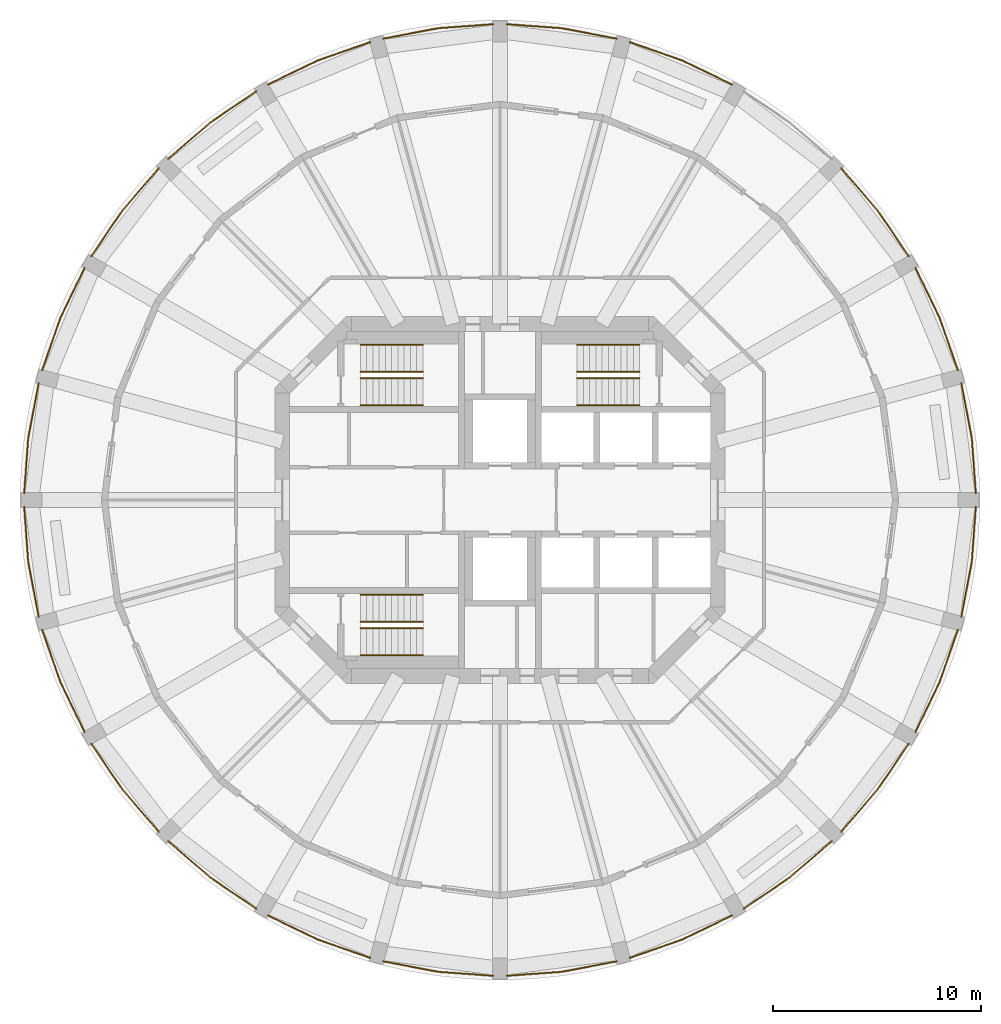
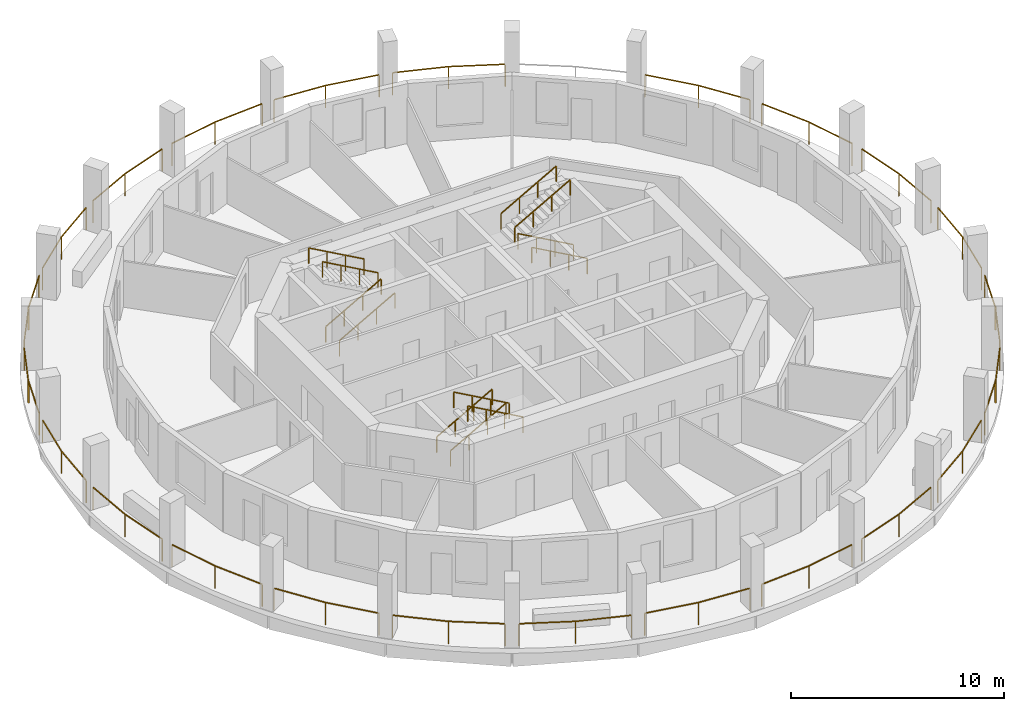
# One storey, part 8 of 9: 35 railings.
"""IFC4 building model written with IfcOpenShell, lengths in metres."""

from ifc_helpers import new_model, si_unit, direction, frame, origin, origin_2d, place, context, subcontext, project, spatial, rectangle, extrude, material, type_object, element, save


model = new_model("IFC4")

# Units and contexts
model_context = context("Model", 3, precision=1e-05, world=origin(), true_north=direction((0.0, 1.0)))
body_context = subcontext(model_context, "Body", "Model", "MODEL_VIEW")
ifc_project = project(units=[si_unit("LENGTHUNIT", "METRE"), si_unit("AREAUNIT", "SQUARE_METRE"), si_unit("VOLUMEUNIT", "CUBIC_METRE"), si_unit("PLANEANGLEUNIT", "RADIAN"), si_unit("MASSUNIT", "GRAM", prefix="KILO")], contexts=[model_context])

# Site, building, storey
site_placement = place(None, origin())
site = spatial("IfcSite", under=ifc_project, at=site_placement, CompositionType="ELEMENT")
building_placement = place(site_placement, origin())
building = spatial("IfcBuilding", under=site, at=building_placement, Name="Torre Triforio", CompositionType="ELEMENT")
storey_placement = place(building_placement, frame((0.0, 0.0, 180.10009765625)))
storey = spatial("IfcBuildingStorey", under=building, at=storey_placement, Name="L41", CompositionType="ELEMENT", Elevation=180.10009765625)

# Railings
ifc_material = material(Name="Stainless steel AISI 316", Category="steel")
railing_type_1 = type_object("IfcRailingType", Name="HANDRAIL 920", PredefinedType="HANDRAIL", material=ifc_material)
for number, where, name in (
    (1, (-6.699951171875, 4.550048828125, 0.16796875), "Handrail ST1"),
    (2, (-6.699951171875, 5.85009765625, 0.16796875), "Handrail ST1"),
):
    element("IfcRailing", number, at=place(storey_placement, frame(where)), inside=storey, type_object=railing_type_1, Name=name, PredefinedType="HANDRAIL", context=body_context, shape_type="SweptSolid", body=[
        extrude(rectangle(XDim=0.048095703125, YDim=0.048095703125, at=origin_2d()), frame((0.0, 0.0, 0.89599609375), z_axis=(0.872272294576, 0.0, 0.489020494575), x_axis=(0.0, 1.0, 0.0)), (0.0, 0.0, 1.0), 3.439208984375),
        extrude(rectangle(XDim=0.0419921875, YDim=0.0419921875, at=origin_2d()), origin(), (0.0, 0.0, 1.0), 0.871826171875),
        extrude(rectangle(XDim=0.0419921875, YDim=0.0419921875, at=origin_2d()), frame((1.0, 0.0, 0.560546875)), (0.0, 0.0, 1.0), 0.871826171875),
        extrude(rectangle(XDim=0.0419921875, YDim=0.0419921875, at=origin_2d()), frame((2.0, 0.0, 1.121337890625)), (0.0, 0.0, 1.0), 0.871826171875),
        extrude(rectangle(XDim=0.0419921875, YDim=0.0419921875, at=origin_2d()), frame((3.0, 0.0, 1.681884765625)), (0.0, 0.0, 1.0), 0.871826171875),
    ])
for number, where, name in (
    (3, (-3.699951171875, 7.449951171875, 2.01806640625), "Handrail ST1"),
    (4, (-3.699951171875, 6.14990234375, 2.01806640625), "Handrail ST1"),
    (5, (6.699951171875, 4.550048828125, 0.16796875), "Handrail ST2"),
    (6, (6.699951171875, 5.85009765625, 0.16796875), "Handrail ST2"),
):
    element("IfcRailing", number, at=place(storey_placement, frame(where)), inside=storey, type_object=railing_type_1, Name=name, PredefinedType="HANDRAIL", context=body_context, shape_type="SweptSolid", body=[
        extrude(rectangle(XDim=0.048095703125, YDim=0.048095703125, at=origin_2d()), frame((0.0, 0.0, 0.89599609375), z_axis=(-0.872272294576, 0.0, 0.489020494575), x_axis=(0.0, -1.0, 0.0)), (0.0, 0.0, 1.0), 3.439208984375),
        extrude(rectangle(XDim=0.0419921875, YDim=0.0419921875, at=origin_2d()), origin(), (0.0, 0.0, 1.0), 0.871826171875),
        extrude(rectangle(XDim=0.0419921875, YDim=0.0419921875, at=origin_2d()), frame((-1.0, 0.0, 0.560546875)), (0.0, 0.0, 1.0), 0.871826171875),
        extrude(rectangle(XDim=0.0419921875, YDim=0.0419921875, at=origin_2d()), frame((-2.0, 0.0, 1.121337890625)), (0.0, 0.0, 1.0), 0.871826171875),
        extrude(rectangle(XDim=0.0419921875, YDim=0.0419921875, at=origin_2d()), frame((-3.0, 0.0, 1.681884765625)), (0.0, 0.0, 1.0), 0.871826171875),
    ])
for number, where, name in (
    (7, (3.699951171875, 7.449951171875, 2.01806640625), "Handrail ST2"),
    (8, (3.699951171875, 6.14990234375, 2.01806640625), "Handrail ST2"),
    (9, (-6.699951171875, -4.550048828125, 0.16796875), "Handrail ST3"),
    (10, (-6.699951171875, -5.85009765625, 0.16796875), "Handrail ST3"),
):
    element("IfcRailing", number, at=place(storey_placement, frame(where)), inside=storey, type_object=railing_type_1, Name=name, PredefinedType="HANDRAIL", context=body_context, shape_type="SweptSolid", body=[
        extrude(rectangle(XDim=0.048095703125, YDim=0.048095703125, at=origin_2d()), frame((0.0, 0.0, 0.89599609375), z_axis=(0.872272294576, 0.0, 0.489020494575), x_axis=(0.0, 1.0, 0.0)), (0.0, 0.0, 1.0), 3.439208984375),
        extrude(rectangle(XDim=0.0419921875, YDim=0.0419921875, at=origin_2d()), origin(), (0.0, 0.0, 1.0), 0.871826171875),
        extrude(rectangle(XDim=0.0419921875, YDim=0.0419921875, at=origin_2d()), frame((1.0, 0.0, 0.560546875)), (0.0, 0.0, 1.0), 0.871826171875),
        extrude(rectangle(XDim=0.0419921875, YDim=0.0419921875, at=origin_2d()), frame((2.0, 0.0, 1.121337890625)), (0.0, 0.0, 1.0), 0.871826171875),
        extrude(rectangle(XDim=0.0419921875, YDim=0.0419921875, at=origin_2d()), frame((3.0, 0.0, 1.681884765625)), (0.0, 0.0, 1.0), 0.871826171875),
    ])
for number, where, name in (
    (11, (-3.699951171875, -7.449951171875, 2.01806640625), "Handrail ST3"),
    (12, (-3.699951171875, -6.14990234375, 2.01806640625), "Handrail ST3"),
):
    element("IfcRailing", number, at=place(storey_placement, frame(where)), inside=storey, type_object=railing_type_1, Name=name, PredefinedType="HANDRAIL", context=body_context, shape_type="SweptSolid", body=[
        extrude(rectangle(XDim=0.048095703125, YDim=0.048095703125, at=origin_2d()), frame((0.0, 0.0, 0.89599609375), z_axis=(-0.872272294576, 0.0, 0.489020494575), x_axis=(0.0, -1.0, 0.0)), (0.0, 0.0, 1.0), 3.439208984375),
        extrude(rectangle(XDim=0.0419921875, YDim=0.0419921875, at=origin_2d()), origin(), (0.0, 0.0, 1.0), 0.871826171875),
        extrude(rectangle(XDim=0.0419921875, YDim=0.0419921875, at=origin_2d()), frame((-1.0, 0.0, 0.560546875)), (0.0, 0.0, 1.0), 0.871826171875),
        extrude(rectangle(XDim=0.0419921875, YDim=0.0419921875, at=origin_2d()), frame((-2.0, 0.0, 1.121337890625)), (0.0, 0.0, 1.0), 0.871826171875),
        extrude(rectangle(XDim=0.0419921875, YDim=0.0419921875, at=origin_2d()), frame((-3.0, 0.0, 1.681884765625)), (0.0, 0.0, 1.0), 0.871826171875),
    ])
railing_type_2 = type_object("IfcRailingType", Name="Loggia guard 1300", PredefinedType="GUARDRAIL", material=ifc_material)
railing_1_placement = place(storey_placement, frame((22.85009765625, 0.320068359375, 0.0)))
element("IfcRailing", 13, at=railing_1_placement, inside=storey, type_object=railing_type_2, Name="Loggia guard L41 bay 01", PredefinedType="GUARDRAIL", context=body_context, shape_type="SweptSolid", body=[
    extrude(rectangle(XDim=0.050048828125, YDim=0.050048828125, at=origin_2d()), frame((0.0, 0.0, 1.27490234375), z_axis=(-0.073255194528, 0.997313228868, 0.0), x_axis=(-0.997313228868, -0.073255194528, 0.0)), (0.0, 0.0, 1.0), 2.66943359375),
    extrude(rectangle(XDim=0.050048828125, YDim=0.050048828125, at=origin_2d()), frame((-0.195556640625, 2.662353515625, 1.27490234375), z_axis=(-0.187368424401, 0.982289709575, 0.0), x_axis=(-0.982289709575, -0.187368424401, 0.0)), (0.0, 0.0, 1.0), 2.669921875),
    extrude(rectangle(XDim=0.0400390625, YDim=0.0400390625, at=origin_2d()), origin(), (0.0, 0.0, 1.0), 1.25),
    extrude(rectangle(XDim=0.0400390625, YDim=0.0400390625, at=origin_2d()), frame((-0.195556640625, 2.662353515625, 0.0)), (0.0, 0.0, 1.0), 1.25),
    extrude(rectangle(XDim=0.0400390625, YDim=0.0400390625, at=origin_2d()), frame((-0.69580078125, 5.284912109375, 0.0)), (0.0, 0.0, 1.0), 1.25),
])
railing_2_placement = place(storey_placement, frame((21.988525390625, 6.22314453125, 0.0)))
element("IfcRailing", 14, at=railing_2_placement, inside=storey, type_object=railing_type_2, Name="Loggia guard L41 bay 02", PredefinedType="GUARDRAIL", context=body_context, shape_type="SweptSolid", body=[
    extrude(rectangle(XDim=0.050048828125, YDim=0.050048828125, at=origin_2d()), frame((0.0, 0.0, 1.27490234375), z_axis=(-0.328846918852, 0.944383239984, 0.0), x_axis=(-0.944383239984, -0.328846918852, 0.0)), (0.0, 0.0, 1.0), 2.669677734375),
    extrude(rectangle(XDim=0.050048828125, YDim=0.050048828125, at=origin_2d()), frame((-0.8779296875, 2.521240234375, 1.27490234375), z_axis=(-0.435211903812, 0.900328050646, 0.0), x_axis=(-0.900328050646, -0.435211903812, 0.0)), (0.0, 0.0, 1.0), 2.669677734375),
    extrude(rectangle(XDim=0.0400390625, YDim=0.0400390625, at=origin_2d()), origin(), (0.0, 0.0, 1.0), 1.25),
    extrude(rectangle(XDim=0.0400390625, YDim=0.0400390625, at=origin_2d()), frame((-0.8779296875, 2.521240234375, 0.0)), (0.0, 0.0, 1.0), 1.25),
    extrude(rectangle(XDim=0.0400390625, YDim=0.0400390625, at=origin_2d()), frame((-2.039794921875, 4.9248046875, 0.0)), (0.0, 0.0, 1.0), 1.25),
])
railing_3_placement = place(storey_placement, frame((19.628662109375, 11.7021484375, 0.0)))
element("IfcRailing", 15, at=railing_3_placement, inside=storey, type_object=railing_type_2, Name="Loggia guard L41 bay 03", PredefinedType="GUARDRAIL", context=body_context, shape_type="SweptSolid", body=[
    extrude(rectangle(XDim=0.050048828125, YDim=0.050048828125, at=origin_2d()), frame((0.0, 0.0, 1.27490234375), z_axis=(-0.562064856935, 0.827093160774, 0.0), x_axis=(-0.827093160774, -0.562064856935, 0.0)), (0.0, 0.0, 1.0), 2.669677734375),
    extrude(rectangle(XDim=0.050048828125, YDim=0.050048828125, at=origin_2d()), frame((-1.50048828125, 2.2080078125, 1.27490234375), z_axis=(-0.653400799038, 0.757012150376, 0.0), x_axis=(-0.757012150376, -0.653400799038, 0.0)), (0.0, 0.0, 1.0), 2.669677734375),
    extrude(rectangle(XDim=0.0400390625, YDim=0.0400390625, at=origin_2d()), origin(), (0.0, 0.0, 1.0), 1.25),
    extrude(rectangle(XDim=0.0400390625, YDim=0.0400390625, at=origin_2d()), frame((-1.50048828125, 2.2080078125, 0.0)), (0.0, 0.0, 1.0), 1.25),
    extrude(rectangle(XDim=0.0400390625, YDim=0.0400390625, at=origin_2d()), frame((-3.244873046875, 4.22900390625, 0.0)), (0.0, 0.0, 1.0), 1.25),
])
railing_4_placement = place(storey_placement, frame((11.14794921875, 19.94873046875, 0.0)))
element("IfcRailing", 16, at=railing_4_placement, inside=storey, type_object=railing_type_2, Name="Loggia guard L41 bay 05", PredefinedType="GUARDRAIL", context=body_context, shape_type="SweptSolid", body=[
    extrude(rectangle(XDim=0.050048828125, YDim=0.050048828125, at=origin_2d()), frame((0.0, 0.0, 1.27490234375), z_axis=(-0.900328050646, 0.435211903812, 0.0), x_axis=(-0.435211903812, -0.900328050646, 0.0)), (0.0, 0.0, 1.0), 2.669677734375),
    extrude(rectangle(XDim=0.050048828125, YDim=0.050048828125, at=origin_2d()), frame((-2.403564453125, 1.161865234375, 1.27490234375), z_axis=(-0.944383239984, 0.328846918852, 0.0), x_axis=(-0.328846918852, -0.944383239984, 0.0)), (0.0, 0.0, 1.0), 2.669677734375),
    extrude(rectangle(XDim=0.0400390625, YDim=0.0400390625, at=origin_2d()), origin(), (0.0, 0.0, 1.0), 1.25),
    extrude(rectangle(XDim=0.0400390625, YDim=0.0400390625, at=origin_2d()), frame((-2.403564453125, 1.161865234375, 0.0)), (0.0, 0.0, 1.0), 1.25),
    extrude(rectangle(XDim=0.0400390625, YDim=0.0400390625, at=origin_2d()), frame((-4.9248046875, 2.039794921875, 0.0)), (0.0, 0.0, 1.0), 1.25),
])
railing_5_placement = place(storey_placement, frame((5.60498046875, 22.154296875, 0.0)))
element("IfcRailing", 17, at=railing_5_placement, inside=storey, type_object=railing_type_2, Name="Loggia guard L41 bay 06", PredefinedType="GUARDRAIL", context=body_context, shape_type="SweptSolid", body=[
    extrude(rectangle(XDim=0.050048828125, YDim=0.050048828125, at=origin_2d()), frame((0.0, 0.0, 1.27490234375), z_axis=(-0.982289709575, 0.187368424401, 0.0), x_axis=(-0.187368424401, -0.982289709575, 0.0)), (0.0, 0.0, 1.0), 2.669921875),
    extrude(rectangle(XDim=0.050048828125, YDim=0.050048828125, at=origin_2d()), frame((-2.62255859375, 0.500244140625, 1.27490234375), z_axis=(-0.997313228868, 0.073255194528, 0.0), x_axis=(-0.073255194528, -0.997313228868, 0.0)), (0.0, 0.0, 1.0), 2.66943359375),
    extrude(rectangle(XDim=0.0400390625, YDim=0.0400390625, at=origin_2d()), origin(), (0.0, 0.0, 1.0), 1.25),
    extrude(rectangle(XDim=0.0400390625, YDim=0.0400390625, at=origin_2d()), frame((-2.62255859375, 0.500244140625, 0.0)), (0.0, 0.0, 1.0), 1.25),
    extrude(rectangle(XDim=0.0400390625, YDim=0.0400390625, at=origin_2d()), frame((-5.284912109375, 0.69580078125, 0.0)), (0.0, 0.0, 1.0), 1.25),
])
railing_6_placement = place(storey_placement, frame((-0.320068359375, 22.85009765625, 0.0)))
element("IfcRailing", 18, at=railing_6_placement, inside=storey, type_object=railing_type_2, Name="Loggia guard L41 bay 07", PredefinedType="GUARDRAIL", context=body_context, shape_type="SweptSolid", body=[
    extrude(rectangle(XDim=0.050048828125, YDim=0.050048828125, at=origin_2d()), frame((0.0, 0.0, 1.27490234375), z_axis=(-0.997313228868, -0.073255194528, 0.0), x_axis=(0.073255194528, -0.997313228868, 0.0)), (0.0, 0.0, 1.0), 2.66943359375),
    extrude(rectangle(XDim=0.050048828125, YDim=0.050048828125, at=origin_2d()), frame((-2.662353515625, -0.195556640625, 1.27490234375), z_axis=(-0.982289709575, -0.187368424401, 0.0), x_axis=(0.187368424401, -0.982289709575, 0.0)), (0.0, 0.0, 1.0), 2.669921875),
    extrude(rectangle(XDim=0.0400390625, YDim=0.0400390625, at=origin_2d()), origin(), (0.0, 0.0, 1.0), 1.25),
    extrude(rectangle(XDim=0.0400390625, YDim=0.0400390625, at=origin_2d()), frame((-2.662353515625, -0.195556640625, 0.0)), (0.0, 0.0, 1.0), 1.25),
    extrude(rectangle(XDim=0.0400390625, YDim=0.0400390625, at=origin_2d()), frame((-5.284912109375, -0.69580078125, 0.0)), (0.0, 0.0, 1.0), 1.25),
])
railing_7_placement = place(storey_placement, frame((-6.22314453125, 21.988525390625, 0.0)))
element("IfcRailing", 19, at=railing_7_placement, inside=storey, type_object=railing_type_2, Name="Loggia guard L41 bay 08", PredefinedType="GUARDRAIL", context=body_context, shape_type="SweptSolid", body=[
    extrude(rectangle(XDim=0.050048828125, YDim=0.050048828125, at=origin_2d()), frame((0.0, 0.0, 1.27490234375), z_axis=(-0.944383239984, -0.328846918852, 0.0), x_axis=(0.328846918852, -0.944383239984, 0.0)), (0.0, 0.0, 1.0), 2.669677734375),
    extrude(rectangle(XDim=0.050048828125, YDim=0.050048828125, at=origin_2d()), frame((-2.521240234375, -0.8779296875, 1.27490234375), z_axis=(-0.900328050646, -0.435211903812, 0.0), x_axis=(0.435211903812, -0.900328050646, 0.0)), (0.0, 0.0, 1.0), 2.669677734375),
    extrude(rectangle(XDim=0.0400390625, YDim=0.0400390625, at=origin_2d()), origin(), (0.0, 0.0, 1.0), 1.25),
    extrude(rectangle(XDim=0.0400390625, YDim=0.0400390625, at=origin_2d()), frame((-2.521240234375, -0.8779296875, 0.0)), (0.0, 0.0, 1.0), 1.25),
    extrude(rectangle(XDim=0.0400390625, YDim=0.0400390625, at=origin_2d()), frame((-4.9248046875, -2.039794921875, 0.0)), (0.0, 0.0, 1.0), 1.25),
])
railing_8_placement = place(storey_placement, frame((-11.7021484375, 19.628662109375, 0.0)))
element("IfcRailing", 20, at=railing_8_placement, inside=storey, type_object=railing_type_2, Name="Loggia guard L41 bay 09", PredefinedType="GUARDRAIL", context=body_context, shape_type="SweptSolid", body=[
    extrude(rectangle(XDim=0.050048828125, YDim=0.050048828125, at=origin_2d()), frame((0.0, 0.0, 1.27490234375), z_axis=(-0.827093160774, -0.562064856935, 0.0), x_axis=(0.562064856935, -0.827093160774, 0.0)), (0.0, 0.0, 1.0), 2.669677734375),
    extrude(rectangle(XDim=0.050048828125, YDim=0.050048828125, at=origin_2d()), frame((-2.2080078125, -1.50048828125, 1.27490234375), z_axis=(-0.757012150376, -0.653400799038, 0.0), x_axis=(0.653400799038, -0.757012150376, 0.0)), (0.0, 0.0, 1.0), 2.669677734375),
    extrude(rectangle(XDim=0.0400390625, YDim=0.0400390625, at=origin_2d()), origin(), (0.0, 0.0, 1.0), 1.25),
    extrude(rectangle(XDim=0.0400390625, YDim=0.0400390625, at=origin_2d()), frame((-2.2080078125, -1.50048828125, 0.0)), (0.0, 0.0, 1.0), 1.25),
    extrude(rectangle(XDim=0.0400390625, YDim=0.0400390625, at=origin_2d()), frame((-4.22900390625, -3.244873046875, 0.0)), (0.0, 0.0, 1.0), 1.25),
])
railing_9_placement = place(storey_placement, frame((-16.3837890625, 15.93115234375, 0.0)))
element("IfcRailing", 21, at=railing_9_placement, inside=storey, type_object=railing_type_2, Name="Loggia guard L41 bay 10", PredefinedType="GUARDRAIL", context=body_context, shape_type="SweptSolid", body=[
    extrude(rectangle(XDim=0.050048828125, YDim=0.050048828125, at=origin_2d()), frame((0.0, 0.0, 1.27490234375), z_axis=(-0.653400799038, -0.757012150376, 0.0), x_axis=(0.757012150376, -0.653400799038, 0.0)), (0.0, 0.0, 1.0), 2.669677734375),
    extrude(rectangle(XDim=0.050048828125, YDim=0.050048828125, at=origin_2d()), frame((-1.744384765625, -2.02099609375, 1.27490234375), z_axis=(-0.562064856935, -0.827093160774, 0.0), x_axis=(0.827093160774, -0.562064856935, 0.0)), (0.0, 0.0, 1.0), 2.669677734375),
    extrude(rectangle(XDim=0.0400390625, YDim=0.0400390625, at=origin_2d()), origin(), (0.0, 0.0, 1.0), 1.25),
    extrude(rectangle(XDim=0.0400390625, YDim=0.0400390625, at=origin_2d()), frame((-1.744384765625, -2.02099609375, 0.0)), (0.0, 0.0, 1.0), 1.25),
    extrude(rectangle(XDim=0.0400390625, YDim=0.0400390625, at=origin_2d()), frame((-3.244873046875, -4.22900390625, 0.0)), (0.0, 0.0, 1.0), 1.25),
])
railing_10_placement = place(storey_placement, frame((-19.94873046875, 11.14794921875, 0.0)))
element("IfcRailing", 22, at=railing_10_placement, inside=storey, type_object=railing_type_2, Name="Loggia guard L41 bay 11", PredefinedType="GUARDRAIL", context=body_context, shape_type="SweptSolid", body=[
    extrude(rectangle(XDim=0.050048828125, YDim=0.050048828125, at=origin_2d()), frame((0.0, 0.0, 1.27490234375), z_axis=(-0.435211903812, -0.900328050646, 0.0), x_axis=(0.900328050646, -0.435211903812, 0.0)), (0.0, 0.0, 1.0), 2.669677734375),
    extrude(rectangle(XDim=0.050048828125, YDim=0.050048828125, at=origin_2d()), frame((-1.161865234375, -2.403564453125, 1.27490234375), z_axis=(-0.328846918852, -0.944383239984, 0.0), x_axis=(0.944383239984, -0.328846918852, 0.0)), (0.0, 0.0, 1.0), 2.669677734375),
    extrude(rectangle(XDim=0.0400390625, YDim=0.0400390625, at=origin_2d()), origin(), (0.0, 0.0, 1.0), 1.25),
    extrude(rectangle(XDim=0.0400390625, YDim=0.0400390625, at=origin_2d()), frame((-1.161865234375, -2.403564453125, 0.0)), (0.0, 0.0, 1.0), 1.25),
    extrude(rectangle(XDim=0.0400390625, YDim=0.0400390625, at=origin_2d()), frame((-2.039794921875, -4.9248046875, 0.0)), (0.0, 0.0, 1.0), 1.25),
])
railing_11_placement = place(storey_placement, frame((-22.154296875, 5.60498046875, 0.0)))
element("IfcRailing", 23, at=railing_11_placement, inside=storey, type_object=railing_type_2, Name="Loggia guard L41 bay 12", PredefinedType="GUARDRAIL", context=body_context, shape_type="SweptSolid", body=[
    extrude(rectangle(XDim=0.050048828125, YDim=0.050048828125, at=origin_2d()), frame((0.0, 0.0, 1.27490234375), z_axis=(-0.187368424401, -0.982289709575, 0.0), x_axis=(0.982289709575, -0.187368424401, 0.0)), (0.0, 0.0, 1.0), 2.669921875),
    extrude(rectangle(XDim=0.050048828125, YDim=0.050048828125, at=origin_2d()), frame((-0.500244140625, -2.62255859375, 1.27490234375), z_axis=(-0.073255194528, -0.997313228868, 0.0), x_axis=(0.997313228868, -0.073255194528, 0.0)), (0.0, 0.0, 1.0), 2.66943359375),
    extrude(rectangle(XDim=0.0400390625, YDim=0.0400390625, at=origin_2d()), origin(), (0.0, 0.0, 1.0), 1.25),
    extrude(rectangle(XDim=0.0400390625, YDim=0.0400390625, at=origin_2d()), frame((-0.500244140625, -2.62255859375, 0.0)), (0.0, 0.0, 1.0), 1.25),
    extrude(rectangle(XDim=0.0400390625, YDim=0.0400390625, at=origin_2d()), frame((-0.69580078125, -5.284912109375, 0.0)), (0.0, 0.0, 1.0), 1.25),
])
railing_12_placement = place(storey_placement, frame((-22.85009765625, -0.320068359375, 0.0)))
element("IfcRailing", 24, at=railing_12_placement, inside=storey, type_object=railing_type_2, Name="Loggia guard L41 bay 13", PredefinedType="GUARDRAIL", context=body_context, shape_type="SweptSolid", body=[
    extrude(rectangle(XDim=0.050048828125, YDim=0.050048828125, at=origin_2d()), frame((0.0, 0.0, 1.27490234375), z_axis=(0.073255194528, -0.997313228868, 0.0), x_axis=(0.997313228868, 0.073255194528, 0.0)), (0.0, 0.0, 1.0), 2.66943359375),
    extrude(rectangle(XDim=0.050048828125, YDim=0.050048828125, at=origin_2d()), frame((0.195556640625, -2.662353515625, 1.27490234375), z_axis=(0.187368424401, -0.982289709575, 0.0), x_axis=(0.982289709575, 0.187368424401, 0.0)), (0.0, 0.0, 1.0), 2.669921875),
    extrude(rectangle(XDim=0.0400390625, YDim=0.0400390625, at=origin_2d()), origin(), (0.0, 0.0, 1.0), 1.25),
    extrude(rectangle(XDim=0.0400390625, YDim=0.0400390625, at=origin_2d()), frame((0.195556640625, -2.662353515625, 0.0)), (0.0, 0.0, 1.0), 1.25),
    extrude(rectangle(XDim=0.0400390625, YDim=0.0400390625, at=origin_2d()), frame((0.69580078125, -5.284912109375, 0.0)), (0.0, 0.0, 1.0), 1.25),
])
railing_13_placement = place(storey_placement, frame((-21.988525390625, -6.22314453125, 0.0)))
element("IfcRailing", 25, at=railing_13_placement, inside=storey, type_object=railing_type_2, Name="Loggia guard L41 bay 14", PredefinedType="GUARDRAIL", context=body_context, shape_type="SweptSolid", body=[
    extrude(rectangle(XDim=0.050048828125, YDim=0.050048828125, at=origin_2d()), frame((0.0, 0.0, 1.27490234375), z_axis=(0.328846918852, -0.944383239984, 0.0), x_axis=(0.944383239984, 0.328846918852, 0.0)), (0.0, 0.0, 1.0), 2.669677734375),
    extrude(rectangle(XDim=0.050048828125, YDim=0.050048828125, at=origin_2d()), frame((0.8779296875, -2.521240234375, 1.27490234375), z_axis=(0.435211903812, -0.900328050646, 0.0), x_axis=(0.900328050646, 0.435211903812, 0.0)), (0.0, 0.0, 1.0), 2.669677734375),
    extrude(rectangle(XDim=0.0400390625, YDim=0.0400390625, at=origin_2d()), origin(), (0.0, 0.0, 1.0), 1.25),
    extrude(rectangle(XDim=0.0400390625, YDim=0.0400390625, at=origin_2d()), frame((0.8779296875, -2.521240234375, 0.0)), (0.0, 0.0, 1.0), 1.25),
    extrude(rectangle(XDim=0.0400390625, YDim=0.0400390625, at=origin_2d()), frame((2.039794921875, -4.9248046875, 0.0)), (0.0, 0.0, 1.0), 1.25),
])
railing_14_placement = place(storey_placement, frame((-19.628662109375, -11.7021484375, 0.0)))
element("IfcRailing", 26, at=railing_14_placement, inside=storey, type_object=railing_type_2, Name="Loggia guard L41 bay 15", PredefinedType="GUARDRAIL", context=body_context, shape_type="SweptSolid", body=[
    extrude(rectangle(XDim=0.050048828125, YDim=0.050048828125, at=origin_2d()), frame((0.0, 0.0, 1.27490234375), z_axis=(0.562064856935, -0.827093160774, 0.0), x_axis=(0.827093160774, 0.562064856935, 0.0)), (0.0, 0.0, 1.0), 2.669677734375),
    extrude(rectangle(XDim=0.050048828125, YDim=0.050048828125, at=origin_2d()), frame((1.50048828125, -2.2080078125, 1.27490234375), z_axis=(0.653400799038, -0.757012150376, 0.0), x_axis=(0.757012150376, 0.653400799038, 0.0)), (0.0, 0.0, 1.0), 2.669677734375),
    extrude(rectangle(XDim=0.0400390625, YDim=0.0400390625, at=origin_2d()), origin(), (0.0, 0.0, 1.0), 1.25),
    extrude(rectangle(XDim=0.0400390625, YDim=0.0400390625, at=origin_2d()), frame((1.50048828125, -2.2080078125, 0.0)), (0.0, 0.0, 1.0), 1.25),
    extrude(rectangle(XDim=0.0400390625, YDim=0.0400390625, at=origin_2d()), frame((3.244873046875, -4.22900390625, 0.0)), (0.0, 0.0, 1.0), 1.25),
])
railing_15_placement = place(storey_placement, frame((-15.93115234375, -16.3837890625, 0.0)))
element("IfcRailing", 27, at=railing_15_placement, inside=storey, type_object=railing_type_2, Name="Loggia guard L41 bay 16", PredefinedType="GUARDRAIL", context=body_context, shape_type="SweptSolid", body=[
    extrude(rectangle(XDim=0.050048828125, YDim=0.050048828125, at=origin_2d()), frame((0.0, 0.0, 1.27490234375), z_axis=(0.757012150376, -0.653400799038, 0.0), x_axis=(0.653400799038, 0.757012150376, 0.0)), (0.0, 0.0, 1.0), 2.669677734375),
    extrude(rectangle(XDim=0.050048828125, YDim=0.050048828125, at=origin_2d()), frame((2.02099609375, -1.744384765625, 1.27490234375), z_axis=(0.827093160774, -0.562064856935, 0.0), x_axis=(0.562064856935, 0.827093160774, 0.0)), (0.0, 0.0, 1.0), 2.669677734375),
    extrude(rectangle(XDim=0.0400390625, YDim=0.0400390625, at=origin_2d()), origin(), (0.0, 0.0, 1.0), 1.25),
    extrude(rectangle(XDim=0.0400390625, YDim=0.0400390625, at=origin_2d()), frame((2.02099609375, -1.744384765625, 0.0)), (0.0, 0.0, 1.0), 1.25),
    extrude(rectangle(XDim=0.0400390625, YDim=0.0400390625, at=origin_2d()), frame((4.22900390625, -3.244873046875, 0.0)), (0.0, 0.0, 1.0), 1.25),
])
railing_16_placement = place(storey_placement, frame((-11.14794921875, -19.94873046875, 0.0)))
element("IfcRailing", 28, at=railing_16_placement, inside=storey, type_object=railing_type_2, Name="Loggia guard L41 bay 17", PredefinedType="GUARDRAIL", context=body_context, shape_type="SweptSolid", body=[
    extrude(rectangle(XDim=0.050048828125, YDim=0.050048828125, at=origin_2d()), frame((0.0, 0.0, 1.27490234375), z_axis=(0.900328050646, -0.435211903812, 0.0), x_axis=(0.435211903812, 0.900328050646, 0.0)), (0.0, 0.0, 1.0), 2.669677734375),
    extrude(rectangle(XDim=0.050048828125, YDim=0.050048828125, at=origin_2d()), frame((2.403564453125, -1.161865234375, 1.27490234375), z_axis=(0.944383239984, -0.328846918852, 0.0), x_axis=(0.328846918852, 0.944383239984, 0.0)), (0.0, 0.0, 1.0), 2.669677734375),
    extrude(rectangle(XDim=0.0400390625, YDim=0.0400390625, at=origin_2d()), origin(), (0.0, 0.0, 1.0), 1.25),
    extrude(rectangle(XDim=0.0400390625, YDim=0.0400390625, at=origin_2d()), frame((2.403564453125, -1.161865234375, 0.0)), (0.0, 0.0, 1.0), 1.25),
    extrude(rectangle(XDim=0.0400390625, YDim=0.0400390625, at=origin_2d()), frame((4.9248046875, -2.039794921875, 0.0)), (0.0, 0.0, 1.0), 1.25),
])
railing_17_placement = place(storey_placement, frame((-5.60498046875, -22.154296875, 0.0)))
element("IfcRailing", 29, at=railing_17_placement, inside=storey, type_object=railing_type_2, Name="Loggia guard L41 bay 18", PredefinedType="GUARDRAIL", context=body_context, shape_type="SweptSolid", body=[
    extrude(rectangle(XDim=0.050048828125, YDim=0.050048828125, at=origin_2d()), frame((0.0, 0.0, 1.27490234375), z_axis=(0.982289709575, -0.187368424401, 0.0), x_axis=(0.187368424401, 0.982289709575, 0.0)), (0.0, 0.0, 1.0), 2.669921875),
    extrude(rectangle(XDim=0.050048828125, YDim=0.050048828125, at=origin_2d()), frame((2.62255859375, -0.500244140625, 1.27490234375), z_axis=(0.997313228868, -0.073255194528, 0.0), x_axis=(0.073255194528, 0.997313228868, 0.0)), (0.0, 0.0, 1.0), 2.66943359375),
    extrude(rectangle(XDim=0.0400390625, YDim=0.0400390625, at=origin_2d()), origin(), (0.0, 0.0, 1.0), 1.25),
    extrude(rectangle(XDim=0.0400390625, YDim=0.0400390625, at=origin_2d()), frame((2.62255859375, -0.500244140625, 0.0)), (0.0, 0.0, 1.0), 1.25),
    extrude(rectangle(XDim=0.0400390625, YDim=0.0400390625, at=origin_2d()), frame((5.284912109375, -0.69580078125, 0.0)), (0.0, 0.0, 1.0), 1.25),
])
railing_18_placement = place(storey_placement, frame((0.320068359375, -22.85009765625, 0.0)))
element("IfcRailing", 30, at=railing_18_placement, inside=storey, type_object=railing_type_2, Name="Loggia guard L41 bay 19", PredefinedType="GUARDRAIL", context=body_context, shape_type="SweptSolid", body=[
    extrude(rectangle(XDim=0.050048828125, YDim=0.050048828125, at=origin_2d()), frame((0.0, 0.0, 1.27490234375), z_axis=(0.997313228868, 0.073255194528, 0.0), x_axis=(-0.073255194528, 0.997313228868, 0.0)), (0.0, 0.0, 1.0), 2.66943359375),
    extrude(rectangle(XDim=0.050048828125, YDim=0.050048828125, at=origin_2d()), frame((2.662353515625, 0.195556640625, 1.27490234375), z_axis=(0.982289709575, 0.187368424401, 0.0), x_axis=(-0.187368424401, 0.982289709575, 0.0)), (0.0, 0.0, 1.0), 2.669921875),
    extrude(rectangle(XDim=0.0400390625, YDim=0.0400390625, at=origin_2d()), origin(), (0.0, 0.0, 1.0), 1.25),
    extrude(rectangle(XDim=0.0400390625, YDim=0.0400390625, at=origin_2d()), frame((2.662353515625, 0.195556640625, 0.0)), (0.0, 0.0, 1.0), 1.25),
    extrude(rectangle(XDim=0.0400390625, YDim=0.0400390625, at=origin_2d()), frame((5.284912109375, 0.69580078125, 0.0)), (0.0, 0.0, 1.0), 1.25),
])
railing_19_placement = place(storey_placement, frame((6.22314453125, -21.988525390625, 0.0)))
element("IfcRailing", 31, at=railing_19_placement, inside=storey, type_object=railing_type_2, Name="Loggia guard L41 bay 20", PredefinedType="GUARDRAIL", context=body_context, shape_type="SweptSolid", body=[
    extrude(rectangle(XDim=0.050048828125, YDim=0.050048828125, at=origin_2d()), frame((0.0, 0.0, 1.27490234375), z_axis=(0.944383239984, 0.328846918852, 0.0), x_axis=(-0.328846918852, 0.944383239984, 0.0)), (0.0, 0.0, 1.0), 2.669677734375),
    extrude(rectangle(XDim=0.050048828125, YDim=0.050048828125, at=origin_2d()), frame((2.521240234375, 0.8779296875, 1.27490234375), z_axis=(0.900328050646, 0.435211903812, 0.0), x_axis=(-0.435211903812, 0.900328050646, 0.0)), (0.0, 0.0, 1.0), 2.669677734375),
    extrude(rectangle(XDim=0.0400390625, YDim=0.0400390625, at=origin_2d()), origin(), (0.0, 0.0, 1.0), 1.25),
    extrude(rectangle(XDim=0.0400390625, YDim=0.0400390625, at=origin_2d()), frame((2.521240234375, 0.8779296875, 0.0)), (0.0, 0.0, 1.0), 1.25),
    extrude(rectangle(XDim=0.0400390625, YDim=0.0400390625, at=origin_2d()), frame((4.9248046875, 2.039794921875, 0.0)), (0.0, 0.0, 1.0), 1.25),
])
railing_20_placement = place(storey_placement, frame((11.7021484375, -19.628662109375, 0.0)))
element("IfcRailing", 32, at=railing_20_placement, inside=storey, type_object=railing_type_2, Name="Loggia guard L41 bay 21", PredefinedType="GUARDRAIL", context=body_context, shape_type="SweptSolid", body=[
    extrude(rectangle(XDim=0.050048828125, YDim=0.050048828125, at=origin_2d()), frame((0.0, 0.0, 1.27490234375), z_axis=(0.827093160774, 0.562064856935, 0.0), x_axis=(-0.562064856935, 0.827093160774, 0.0)), (0.0, 0.0, 1.0), 2.669677734375),
    extrude(rectangle(XDim=0.050048828125, YDim=0.050048828125, at=origin_2d()), frame((2.2080078125, 1.50048828125, 1.27490234375), z_axis=(0.757012150376, 0.653400799038, 0.0), x_axis=(-0.653400799038, 0.757012150376, 0.0)), (0.0, 0.0, 1.0), 2.669677734375),
    extrude(rectangle(XDim=0.0400390625, YDim=0.0400390625, at=origin_2d()), origin(), (0.0, 0.0, 1.0), 1.25),
    extrude(rectangle(XDim=0.0400390625, YDim=0.0400390625, at=origin_2d()), frame((2.2080078125, 1.50048828125, 0.0)), (0.0, 0.0, 1.0), 1.25),
    extrude(rectangle(XDim=0.0400390625, YDim=0.0400390625, at=origin_2d()), frame((4.22900390625, 3.244873046875, 0.0)), (0.0, 0.0, 1.0), 1.25),
])
railing_21_placement = place(storey_placement, frame((16.3837890625, -15.93115234375, 0.0)))
element("IfcRailing", 33, at=railing_21_placement, inside=storey, type_object=railing_type_2, Name="Loggia guard L41 bay 22", PredefinedType="GUARDRAIL", context=body_context, shape_type="SweptSolid", body=[
    extrude(rectangle(XDim=0.050048828125, YDim=0.050048828125, at=origin_2d()), frame((0.0, 0.0, 1.27490234375), z_axis=(0.653400799038, 0.757012150376, 0.0), x_axis=(-0.757012150376, 0.653400799038, 0.0)), (0.0, 0.0, 1.0), 2.669677734375),
    extrude(rectangle(XDim=0.050048828125, YDim=0.050048828125, at=origin_2d()), frame((1.744384765625, 2.02099609375, 1.27490234375), z_axis=(0.562064856935, 0.827093160774, 0.0), x_axis=(-0.827093160774, 0.562064856935, 0.0)), (0.0, 0.0, 1.0), 2.669677734375),
    extrude(rectangle(XDim=0.0400390625, YDim=0.0400390625, at=origin_2d()), origin(), (0.0, 0.0, 1.0), 1.25),
    extrude(rectangle(XDim=0.0400390625, YDim=0.0400390625, at=origin_2d()), frame((1.744384765625, 2.02099609375, 0.0)), (0.0, 0.0, 1.0), 1.25),
    extrude(rectangle(XDim=0.0400390625, YDim=0.0400390625, at=origin_2d()), frame((3.244873046875, 4.22900390625, 0.0)), (0.0, 0.0, 1.0), 1.25),
])
railing_22_placement = place(storey_placement, frame((19.94873046875, -11.14794921875, 0.0)))
element("IfcRailing", 34, at=railing_22_placement, inside=storey, type_object=railing_type_2, Name="Loggia guard L41 bay 23", PredefinedType="GUARDRAIL", context=body_context, shape_type="SweptSolid", body=[
    extrude(rectangle(XDim=0.050048828125, YDim=0.050048828125, at=origin_2d()), frame((0.0, 0.0, 1.27490234375), z_axis=(0.435211903812, 0.900328050646, 0.0), x_axis=(-0.900328050646, 0.435211903812, 0.0)), (0.0, 0.0, 1.0), 2.669677734375),
    extrude(rectangle(XDim=0.050048828125, YDim=0.050048828125, at=origin_2d()), frame((1.161865234375, 2.403564453125, 1.27490234375), z_axis=(0.328846918852, 0.944383239984, 0.0), x_axis=(-0.944383239984, 0.328846918852, 0.0)), (0.0, 0.0, 1.0), 2.669677734375),
    extrude(rectangle(XDim=0.0400390625, YDim=0.0400390625, at=origin_2d()), origin(), (0.0, 0.0, 1.0), 1.25),
    extrude(rectangle(XDim=0.0400390625, YDim=0.0400390625, at=origin_2d()), frame((1.161865234375, 2.403564453125, 0.0)), (0.0, 0.0, 1.0), 1.25),
    extrude(rectangle(XDim=0.0400390625, YDim=0.0400390625, at=origin_2d()), frame((2.039794921875, 4.9248046875, 0.0)), (0.0, 0.0, 1.0), 1.25),
])
railing_23_placement = place(storey_placement, frame((22.154296875, -5.60498046875, 0.0)))
element("IfcRailing", 35, at=railing_23_placement, inside=storey, type_object=railing_type_2, Name="Loggia guard L41 bay 24", PredefinedType="GUARDRAIL", context=body_context, shape_type="SweptSolid", body=[
    extrude(rectangle(XDim=0.050048828125, YDim=0.050048828125, at=origin_2d()), frame((0.0, 0.0, 1.27490234375), z_axis=(0.187368424401, 0.982289709575, 0.0), x_axis=(-0.982289709575, 0.187368424401, 0.0)), (0.0, 0.0, 1.0), 2.669921875),
    extrude(rectangle(XDim=0.050048828125, YDim=0.050048828125, at=origin_2d()), frame((0.500244140625, 2.62255859375, 1.27490234375), z_axis=(0.073255194528, 0.997313228868, 0.0), x_axis=(-0.997313228868, 0.073255194528, 0.0)), (0.0, 0.0, 1.0), 2.66943359375),
    extrude(rectangle(XDim=0.0400390625, YDim=0.0400390625, at=origin_2d()), origin(), (0.0, 0.0, 1.0), 1.25),
    extrude(rectangle(XDim=0.0400390625, YDim=0.0400390625, at=origin_2d()), frame((0.500244140625, 2.62255859375, 0.0)), (0.0, 0.0, 1.0), 1.25),
    extrude(rectangle(XDim=0.0400390625, YDim=0.0400390625, at=origin_2d()), frame((0.69580078125, 5.284912109375, 0.0)), (0.0, 0.0, 1.0), 1.25),
])

save(model, "model.ifc")
